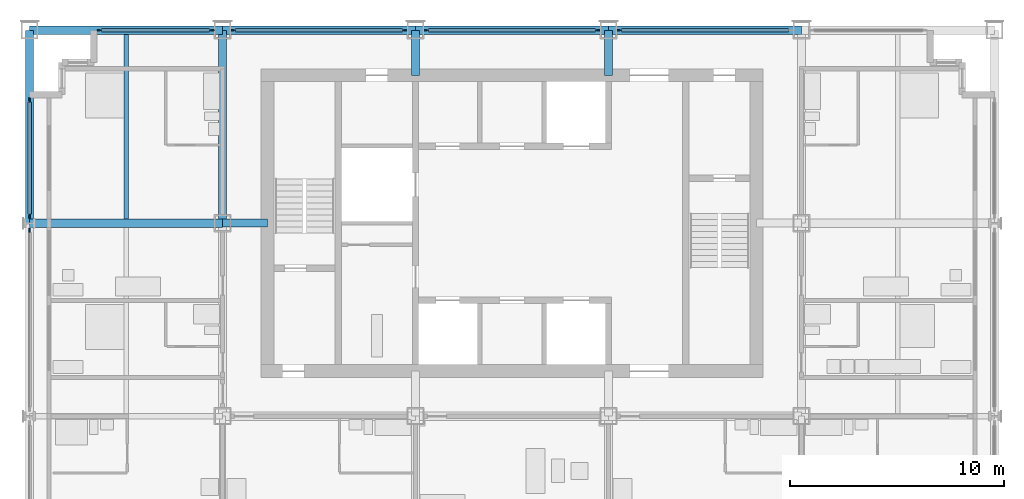
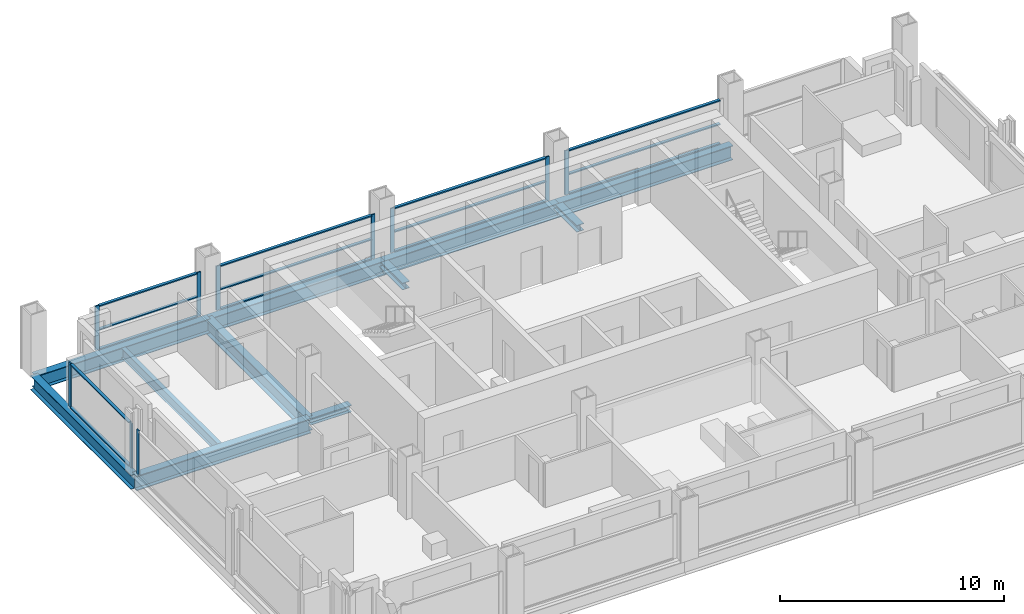
# One storey, part 4 of 13: 27 members, 8 beams, 6 elements without a shape of their own.
"""IFC4 building model written with IfcOpenShell, lengths in metres."""

import ifcopenshell
import ifcopenshell.guid

model = None  # the IFC model being written
_history = None  # IfcOwnerHistory: only IFC2X3 demands one
_inside = {}  # id of a spatial element -> (the spatial element, [elements in it])
_under = {}  # id of a project, library or spatial element -> (it, [spatial elements below it])
_declared = {}  # id of a project -> (the project, [libraries it declares])
_typed = {}  # id of a type object -> (the type object, [elements of that type])
_made_of = {}  # id of a material, layer set ... -> (it, [elements and type objects made of it])


def new_model(schema):
    """Start an empty IFC model of exactly this schema.

    Asked for "IFC4X3", IfcOpenShell would pick the latest addendum, in which some entities
    have other attributes; the version numbers below select the first issue.
    IFC2X3 requires an IfcOwnerHistory on every rooted entity: one is made here for all.
    """
    global model, _history
    if schema == "IFC4X3":
        model = ifcopenshell.file(schema_version=(4, 3, 0, 0))
    else:
        model = ifcopenshell.file(schema=schema)
    _inside.clear()
    _under.clear()
    _declared.clear()
    _typed.clear()
    _made_of.clear()
    _history = None
    if model.schema == "IFC2X3":
        org = make("IfcOrganization", Name="unknown")
        user = make(
            "IfcPersonAndOrganization",
            ThePerson=make("IfcPerson", FamilyName="unknown"),
            TheOrganization=org,
        )
        app = make(
            "IfcApplication",
            ApplicationDeveloper=org,
            Version="unknown",
            ApplicationFullName="unknown",
            ApplicationIdentifier="unknown",
        )
        _history = make(
            "IfcOwnerHistory",
            OwningUser=user,
            OwningApplication=app,
            ChangeAction="ADDED",
            CreationDate=0,
        )
    return model


def make(cls, **values):
    """One entity of the class cls with the attributes given. An attribute that is None is left unset."""
    return model.create_entity(
        cls, **{name: value for name, value in values.items() if value is not None}
    )


def rooted(cls, **values):
    """An entity with a GlobalId (a new one), such as an element, a storey or a relation."""
    return make(cls, GlobalId=ifcopenshell.guid.new(), OwnerHistory=_history, **values)


def si_unit(unit_type, name, prefix=None):
    """IfcSIUnit, for example si_unit("LENGTHUNIT", "METRE", prefix="MILLI")."""
    return make("IfcSIUnit", UnitType=unit_type, Prefix=prefix, Name=name)


def assignment(units):
    """IfcUnitAssignment: the units of a project."""
    return None if units is None else make("IfcUnitAssignment", Units=units)


def point(xyz):
    """IfcCartesianPoint."""
    return None if xyz is None else make("IfcCartesianPoint", Coordinates=xyz)


def direction(xyz):
    """IfcDirection."""
    return None if xyz is None else make("IfcDirection", DirectionRatios=xyz)


def frame(location, z_axis=None, x_axis=None):
    """IfcAxis2Placement3D, a coordinate frame: its origin and axes. An axis left out is left unset."""
    return make(
        "IfcAxis2Placement3D",
        Location=point(location),
        Axis=direction(z_axis),
        RefDirection=direction(x_axis),
    )


def frame_2d(location, x_axis=None):
    """IfcAxis2Placement2D, a coordinate frame in the plane: its origin and x axis."""
    return make(
        "IfcAxis2Placement2D", Location=point(location), RefDirection=direction(x_axis)
    )


def origin():
    """The frame at (0, 0, 0) with its axes left unset."""
    return frame((0.0, 0.0, 0.0))


def origin_2d():
    """The frame at (0, 0) in the plane with its x axis left unset."""
    return frame_2d((0.0, 0.0))


def place(relative_to, where):
    """IfcLocalPlacement: puts the frame where relative to a parent placement (None: the world)."""
    return make(
        "IfcLocalPlacement", PlacementRelTo=relative_to, RelativePlacement=where
    )


def context(
    kind, dimensions, precision=None, world=None, true_north=None, identifier=None
):
    """IfcGeometricRepresentationContext, for example the 3D "Model" context."""
    return make(
        "IfcGeometricRepresentationContext",
        ContextIdentifier=identifier,
        ContextType=kind,
        CoordinateSpaceDimension=dimensions,
        Precision=precision,
        WorldCoordinateSystem=world,
        TrueNorth=true_north,
    )


def subcontext(parent, identifier, kind, view, scale=None):
    """IfcGeometricRepresentationSubContext, for example "Body" below "Model"."""
    return make(
        "IfcGeometricRepresentationSubContext",
        ContextIdentifier=identifier,
        ContextType=kind,
        ParentContext=parent,
        TargetScale=scale,
        TargetView=view,
    )


def project(units=None, contexts=None):
    """IfcProject with its units and contexts."""
    return rooted(
        "IfcProject",
        Name="project",
        RepresentationContexts=contexts,
        UnitsInContext=assignment(units),
    )


def spatial(cls, under=None, at=None, **own):
    """A site, building, storey or space (cls), placed at a placement, below another one or the project."""
    s = rooted(cls, ObjectPlacement=at, **own)
    if under is not None:
        _under.setdefault(under.id(), (under, []))[1].append(s)
    return s


def profile(cls, at=None, kind="AREA", **sizes):
    """A parametric profile (cls). Its sizes go by their IFC names, for example OverallWidth=200.0."""
    return make(cls, ProfileType=kind, Position=at, **sizes)


def rectangle(**sizes):
    """IfcRectangleProfileDef."""
    return profile("IfcRectangleProfileDef", **sizes)


def i_section(**sizes):
    """IfcIShapeProfileDef."""
    return profile("IfcIShapeProfileDef", **sizes)


def extrude(swept, where, along, depth):
    """IfcExtrudedAreaSolid: the profile swept, set in the frame where, extruded along a direction by depth."""
    return make(
        "IfcExtrudedAreaSolid",
        SweptArea=swept,
        Position=where,
        ExtrudedDirection=direction(along),
        Depth=depth,
    )


def shape(context_of_items, identifier, shape_type, items):
    """IfcShapeRepresentation: the items that make up one representation, for example the "Body"."""
    return make(
        "IfcShapeRepresentation",
        ContextOfItems=context_of_items,
        RepresentationIdentifier=identifier,
        RepresentationType=shape_type,
        Items=items,
    )


def material(Name=None, Category=None):
    """IfcMaterial."""
    return make("IfcMaterial", Name=Name, Category=Category)


def material_profile(
    of_material, cross_section, Name=None, Category=None, Priority=None
):
    """IfcMaterialProfile: a cross section and its material."""
    return make(
        "IfcMaterialProfile",
        Name=Name,
        Material=of_material,
        Profile=cross_section,
        Priority=Priority,
        Category=Category,
    )


def profile_set(profiles, Name=None, composite=None):
    """IfcMaterialProfileSet."""
    return make(
        "IfcMaterialProfileSet",
        Name=Name,
        MaterialProfiles=profiles,
        CompositeProfile=composite,
    )


def made_of(thing, what):
    """Note that an element or type object is made of a material, layer set ...; save() writes the relation."""
    if what is not None:
        _made_of.setdefault(what.id(), (what, []))[1].append(thing)
    return thing


def type_object(cls, material=None, **own):
    """A type object (cls), such as IfcWallType, which elements share."""
    return made_of(rooted(cls, **own), material)


def element(
    cls,
    number,
    at=None,
    inside=None,
    cuts=None,
    type_object=None,
    material=None,
    context=None,
    identifier="Body",
    shape_type=None,
    held_by="IfcProductDefinitionShape",
    body=None,
    shapes=None,
    **own,
):
    """One element of the class cls, such as IfcWall. Its Tag is "e" and its number.

    at: its placement. inside: the storey or other place that contains it. cuts: it is an
    opening in that element (IfcRelVoidsElement). A single representation is given by context,
    identifier, shape_type and body (its items); several are given by shapes. held_by: the class
    of the entity that holds the representations. save() writes the other relations.
    """
    e = rooted(cls, Tag="e%d" % number, ObjectPlacement=at, **own)
    if body is not None:
        shapes = [shape(context, identifier, shape_type, body)]
    if shapes is not None:
        e.Representation = make(held_by, Representations=shapes)
    if inside is not None:
        _inside.setdefault(inside.id(), (inside, []))[1].append(e)
    if cuts is not None:
        rooted(
            "IfcRelVoidsElement", RelatingBuildingElement=cuts, RelatedOpeningElement=e
        )
    if type_object is not None:
        _typed.setdefault(type_object.id(), (type_object, []))[1].append(e)
    return made_of(e, material)


def aggregate(whole, parts):
    """IfcRelAggregates: a whole, such as a stair, and the parts it consists of."""
    return rooted("IfcRelAggregates", RelatingObject=whole, RelatedObjects=parts)


def save(model, path):
    """Write the relations noted so far, then the file.

    IfcRelAggregates (storeys below a building ...), IfcRelContainedInSpatialStructure (elements
    in a storey), IfcRelDefinesByType, IfcRelAssociatesMaterial and IfcRelDeclares: one each for
    every whole, place, type object, material and project.
    """
    for whole, parts in _under.values():
        aggregate(whole, parts)
    for where, things in _inside.values():
        rooted(
            "IfcRelContainedInSpatialStructure",
            RelatedElements=things,
            RelatingStructure=where,
        )
    for kind, things in _typed.values():
        rooted("IfcRelDefinesByType", RelatedObjects=things, RelatingType=kind)
    for what, things in _made_of.values():
        rooted("IfcRelAssociatesMaterial", RelatedObjects=things, RelatingMaterial=what)
    for by, libraries in _declared.values():
        rooted("IfcRelDeclares", RelatingContext=by, RelatedDefinitions=libraries)
    model.write(path)


model = new_model("IFC4")

# Units and contexts
model_context = context("Model", 3, precision=1e-05, world=origin(), true_north=direction((0.0, 1.0)))
body_context = subcontext(model_context, "Body", "Model", "MODEL_VIEW")
ifc_project = project(units=[si_unit("LENGTHUNIT", "METRE"), si_unit("AREAUNIT", "SQUARE_METRE"), si_unit("VOLUMEUNIT", "CUBIC_METRE"), si_unit("PLANEANGLEUNIT", "RADIAN"), si_unit("MASSUNIT", "GRAM", prefix="KILO")], contexts=[model_context])

# Site, building, storey
site_placement = place(None, origin())
site = spatial("IfcSite", under=ifc_project, at=site_placement, CompositionType="ELEMENT")
building_placement = place(site_placement, origin())
building = spatial("IfcBuilding", under=site, at=building_placement, Name="Loomwork Tower", CompositionType="ELEMENT")
storey_placement = place(building_placement, frame((0.0, 0.0, 174.0)))
storey = spatial("IfcBuildingStorey", under=building, at=storey_placement, Name="L47", CompositionType="ELEMENT", Elevation=174.0)

# Beams
ifc_material_1 = material(Name="Steel ASTM A992", Category="steel")
ifc_material_profile_1 = material_profile(ifc_material_1, i_section(OverallWidth=0.383544921875, OverallDepth=0.794921875, WebThickness=0.02099609375, FlangeThickness=0.0380859375, at=origin_2d()), Name="W30x235")
ifc_profile_set_1 = profile_set([ifc_material_profile_1], Name="Steel ASTM A992")
beam_type_1 = type_object("IfcBeamType", Name="CORE FLANK GIRDER W30x235", PredefinedType="BEAM", material=ifc_profile_set_1)
for number, where, z_axis, x_axis, name in (
    (1, (0.0, 18.0, -0.597412109375), (1.0, 0.0, 0.0), (0.0, 1.0, 0.0), "Core Flank Girder F/2-F/3 L47"),
    (2, (9.0, 18.0, -0.597412109375), (0.0, 1.0, 0.0), (-1.0, 0.0, 0.0), "Core Flank Girder F/3-G/3 L47"),
):
    element("IfcBeam", number, at=place(storey_placement, frame(where, z_axis=z_axis, x_axis=x_axis)), inside=storey, type_object=beam_type_1, Name=name, PredefinedType="BEAM", context=body_context, shape_type="SweptSolid", body=[
        extrude(i_section(OverallWidth=0.383544921875, OverallDepth=0.794921875, WebThickness=0.02099609375, FlangeThickness=0.0380859375, at=origin_2d()), origin(), (0.0, 0.0, 1.0), 9.0),
    ])

# Members
ifc_material_2 = material(Name="Steel ASTM A992", Category="steel")
ifc_material_profile_2 = material_profile(ifc_material_2, i_section(OverallWidth=0.373291015625, OverallDepth=0.373291015625, WebThickness=0.016357421875, FlangeThickness=0.026123046875, at=origin_2d()), Name="W14x132")
ifc_profile_set_2 = profile_set([ifc_material_profile_2], Name="Steel ASTM A992")
member_type_1 = type_object("IfcMemberType", Name="CORE LINK STRUT W14x132", PredefinedType="STRUT", material=ifc_profile_set_2)
for number, where, z_axis, x_axis, name in (
    (3, (27.0, 27.0, -0.38671875), (0.0, -1.0, 0.0), (1.0, 0.0, 0.0), "Core link strut G/5-27.000,24.900 L47"),
    (4, (18.0, 27.0, -0.38671875), (0.0, -1.0, 0.0), (1.0, 0.0, 0.0), "Core link strut G/4-18.000,24.900 L47"),
    (5, (9.0, 18.0, -0.38671875), (1.0, 0.0, 0.0), (0.0, 1.0, 0.0), "Core link strut F/3-11.100,18.000 L47"),
):
    element("IfcMember", number, at=place(storey_placement, frame(where, z_axis=z_axis, x_axis=x_axis)), inside=storey, type_object=member_type_1, Name=name, PredefinedType="STRUT", context=body_context, shape_type="SweptSolid", body=[
        extrude(i_section(OverallWidth=0.373291015625, OverallDepth=0.373291015625, WebThickness=0.016357421875, FlangeThickness=0.026123046875, at=origin_2d()), origin(), (0.0, 0.0, 1.0), 2.10009765625),
    ])

# Beam
ifc_material_3 = material(Name="Steel ASTM A992", Category="steel")
ifc_material_profile_3 = material_profile(ifc_material_3, i_section(OverallWidth=0.2109375, OverallDepth=0.53857421875, WebThickness=0.011474609375, FlangeThickness=0.018798828125, at=origin_2d()), Name="W21x73")
ifc_profile_set_3 = profile_set([ifc_material_profile_3], Name="Steel ASTM A992")
beam_type_2 = type_object("IfcBeamType", Name="FLOOR JOIST W21x73", PredefinedType="JOIST", material=ifc_profile_set_3)
beam_placement = place(storey_placement, frame((4.5, 18.19091796875, -0.46923828125), z_axis=(0.0, 1.0, 0.0), x_axis=(-1.0, 0.0, 0.0)))
element("IfcBeam", 6, at=beam_placement, inside=storey, type_object=beam_type_2, Name="Floor Joist 4.500,18.000-4.500,27.000 L47", PredefinedType="JOIST", context=body_context, shape_type="SweptSolid", body=[
    extrude(i_section(OverallWidth=0.2109375, OverallDepth=0.53857421875, WebThickness=0.011474609375, FlangeThickness=0.018798828125, at=origin_2d()), origin(), (0.0, 0.0, 1.0), 8.619140625),
])

# Curtain wall, member
ifc_material_4 = material(Name="Aluminium curtain wall frame", Category="aluminium")
curtain_wall_type_1 = type_object("IfcCurtainWallType", Name="Outer skin glazing hotel", PredefinedType="NOTDEFINED", material=ifc_material_4)
curtain_wall_1_placement = place(storey_placement, origin())
curtain_wall_1 = element("IfcCurtainWall", 7, at=curtain_wall_1_placement, inside=storey, type_object=curtain_wall_type_1, Name="Outer skin glazing hotel cw/W-9", PredefinedType="NOTDEFINED")
ifc_material_5 = material(Name="Aluminium curtain wall frame", Category="aluminium")
ifc_material_profile_4 = material_profile(ifc_material_5, rectangle(XDim=0.06494140625, YDim=0.199951171875, at=origin_2d()), Name="AL 65x200")
ifc_profile_set_4 = profile_set([ifc_material_profile_4], Name="Aluminium curtain wall frame")
member_type_2 = type_object("IfcMemberType", Name="Outer skin glazing hotel mullion", PredefinedType="MULLION", material=ifc_profile_set_4)
member_1_placement = place(storey_placement, frame((0.0, 17.67529296875, 0.0), z_axis=(0.0, 0.0, 1.0), x_axis=(1.0, 0.0, 0.0)))
member_1 = element("IfcMember", 8, at=member_1_placement, type_object=member_type_2, Name="CW1 mullion 1", PredefinedType="MULLION", context=body_context, shape_type="SweptSolid", body=[
    extrude(rectangle(XDim=0.06494140625, YDim=0.199951171875, at=origin_2d()), origin(), (0.0, 0.0, 1.0), 2.420166015625),
])
aggregate(curtain_wall_1, [member_1])

# Curtain wall, members
curtain_wall_2_placement = place(storey_placement, origin())
curtain_wall_2 = element("IfcCurtainWall", 9, at=curtain_wall_2_placement, inside=storey, type_object=curtain_wall_type_1, Name="Outer skin glazing hotel cw/W-18", PredefinedType="NOTDEFINED")
member_2_placement = place(storey_placement, frame((0.0, 23.75, 0.0), z_axis=(0.0, 0.0, 1.0), x_axis=(1.0, 0.0, 0.0)))
member_2 = element("IfcMember", 10, at=member_2_placement, type_object=member_type_2, Name="CW1 mullion 1", PredefinedType="MULLION", context=body_context, shape_type="SweptSolid", body=[
    extrude(rectangle(XDim=0.06494140625, YDim=0.199951171875, at=origin_2d()), origin(), (0.0, 0.0, 1.0), 2.420166015625),
])
member_3_placement = place(storey_placement, frame((0.0, 18.32470703125, 0.0), z_axis=(0.0, 0.0, 1.0), x_axis=(1.0, 0.0, 0.0)))
member_3 = element("IfcMember", 11, at=member_3_placement, type_object=member_type_2, Name="CW1 mullion 2", PredefinedType="MULLION", context=body_context, shape_type="SweptSolid", body=[
    extrude(rectangle(XDim=0.06494140625, YDim=0.199951171875, at=origin_2d()), origin(), (0.0, 0.0, 1.0), 2.420166015625),
])
ifc_material_6 = material(Name="Aluminium curtain wall frame", Category="aluminium")
ifc_material_profile_5 = material_profile(ifc_material_6, rectangle(XDim=0.14990234375, YDim=0.06494140625, at=origin_2d()), Name="AL 65x150")
ifc_profile_set_5 = profile_set([ifc_material_profile_5], Name="Aluminium curtain wall frame")
member_type_3 = type_object("IfcMemberType", Name="Outer skin glazing hotel transom", PredefinedType="USERDEFINED", material=ifc_profile_set_5)
member_4_placement = place(storey_placement, frame((0.0, 23.64990234375, 0.032470703125), z_axis=(0.0, -1.0, 0.0), x_axis=(1.0, 0.0, 0.0)))
member_4 = element("IfcMember", 12, at=member_4_placement, type_object=member_type_3, Name="CW1 transom 1.1", ObjectType="TRANSOM", PredefinedType="USERDEFINED", context=body_context, shape_type="SweptSolid", body=[
    extrude(rectangle(XDim=0.14990234375, YDim=0.06494140625, at=origin_2d()), origin(), (0.0, 0.0, 1.0), 5.22509765625),
])
member_5_placement = place(storey_placement, frame((0.0, 23.64990234375, 2.3876953125), z_axis=(0.0, -1.0, 0.0), x_axis=(1.0, 0.0, 0.0)))
member_5 = element("IfcMember", 13, at=member_5_placement, type_object=member_type_3, Name="CW1 transom 1.2", ObjectType="TRANSOM", PredefinedType="USERDEFINED", context=body_context, shape_type="SweptSolid", body=[
    extrude(rectangle(XDim=0.14990234375, YDim=0.06494140625, at=origin_2d()), origin(), (0.0, 0.0, 1.0), 5.22509765625),
])
aggregate(curtain_wall_2, [member_2, member_3, member_4, member_5])

# Beams
ifc_material_7 = material(Name="Steel ASTM A992", Category="steel")
ifc_material_profile_6 = material_profile(ifc_material_7, i_section(OverallWidth=0.381103515625, OverallDepth=0.77978515625, WebThickness=0.01806640625, FlangeThickness=0.0302734375, at=origin_2d()), Name="W30x191")
ifc_profile_set_6 = profile_set([ifc_material_profile_6], Name="Steel ASTM A992")
beam_type_3 = type_object("IfcBeamType", Name="SPANDREL GIRDER W30x191", PredefinedType="SPANDREL", material=ifc_profile_set_6)
for number, where, z_axis, x_axis, name in (
    (14, (0.0, 27.0, -0.58984375), (1.0, 0.0, 0.0), (0.0, 1.0, 0.0), "Spandrel Girder G/2-G/3 L47"),
    (15, (9.0, 27.0, -0.58984375), (1.0, 0.0, 0.0), (0.0, 1.0, 0.0), "Spandrel Girder G/3-G/4 L47"),
    (16, (18.0, 27.0, -0.58984375), (1.0, 0.0, 0.0), (0.0, 1.0, 0.0), "Spandrel Girder G/4-G/5 L47"),
    (17, (27.0, 27.0, -0.58984375), (1.0, 0.0, 0.0), (0.0, 1.0, 0.0), "Spandrel Girder G/5-G/6 L47"),
    (18, (0.0, 18.0, -0.58984375), (0.0, 1.0, 0.0), (-1.0, 0.0, 0.0), "Spandrel Girder F/2-G/2 L47"),
):
    element("IfcBeam", number, at=place(storey_placement, frame(where, z_axis=z_axis, x_axis=x_axis)), inside=storey, type_object=beam_type_3, Name=name, PredefinedType="SPANDREL", context=body_context, shape_type="SweptSolid", body=[
        extrude(i_section(OverallWidth=0.381103515625, OverallDepth=0.77978515625, WebThickness=0.01806640625, FlangeThickness=0.0302734375, at=origin_2d()), origin(), (0.0, 0.0, 1.0), 9.0),
    ])

# Curtain wall, members
ifc_material_8 = material(Name="Aluminium curtain wall frame", Category="aluminium")
curtain_wall_type_2 = type_object("IfcCurtainWallType", Name="Single skin glazing corridor", PredefinedType="NOTDEFINED", material=ifc_material_8)
curtain_wall_3_placement = place(storey_placement, origin())
curtain_wall_3 = element("IfcCurtainWall", 19, at=curtain_wall_3_placement, inside=storey, type_object=curtain_wall_type_2, Name="Single skin glazing corridor cw/N-0", PredefinedType="NOTDEFINED")
ifc_material_9 = material(Name="Aluminium curtain wall frame", Category="aluminium")
ifc_material_profile_7 = material_profile(ifc_material_9, rectangle(XDim=0.06494140625, YDim=0.199951171875, at=origin_2d()), Name="AL 65x200")
ifc_profile_set_7 = profile_set([ifc_material_profile_7], Name="Aluminium curtain wall frame")
member_type_4 = type_object("IfcMemberType", Name="Single skin glazing corridor mullion", PredefinedType="MULLION", material=ifc_profile_set_7)
member_6_placement = place(storey_placement, frame((8.5, 27.0, 0.0), z_axis=(0.0, 0.0, 1.0), x_axis=(0.0, -1.0, 0.0)))
member_6 = element("IfcMember", 20, at=member_6_placement, type_object=member_type_4, Name="CW3 mullion 1", PredefinedType="MULLION", context=body_context, shape_type="SweptSolid", body=[
    extrude(rectangle(XDim=0.06494140625, YDim=0.199951171875, at=origin_2d()), origin(), (0.0, 0.0, 1.0), 2.420166015625),
])
member_7_placement = place(storey_placement, frame((3.25, 27.0, 0.0), z_axis=(0.0, 0.0, 1.0), x_axis=(0.0, -1.0, 0.0)))
member_7 = element("IfcMember", 21, at=member_7_placement, type_object=member_type_4, Name="CW3 mullion 2", PredefinedType="MULLION", context=body_context, shape_type="SweptSolid", body=[
    extrude(rectangle(XDim=0.06494140625, YDim=0.199951171875, at=origin_2d()), origin(), (0.0, 0.0, 1.0), 2.420166015625),
])

curtain_wall_4_placement = place(storey_placement, origin())
curtain_wall_4 = element("IfcCurtainWall", 22, at=curtain_wall_4_placement, inside=storey, type_object=curtain_wall_type_2, Name="Single skin glazing corridor cw/N-9", PredefinedType="NOTDEFINED")
member_8_placement = place(storey_placement, frame((17.5, 27.0, 0.0), z_axis=(0.0, 0.0, 1.0), x_axis=(0.0, -1.0, 0.0)))
member_8 = element("IfcMember", 23, at=member_8_placement, type_object=member_type_4, Name="CW3 mullion 1", PredefinedType="MULLION", context=body_context, shape_type="SweptSolid", body=[
    extrude(rectangle(XDim=0.06494140625, YDim=0.199951171875, at=origin_2d()), origin(), (0.0, 0.0, 1.0), 2.420166015625),
])
member_9_placement = place(storey_placement, frame((9.5, 27.0, 0.0), z_axis=(0.0, 0.0, 1.0), x_axis=(0.0, -1.0, 0.0)))
member_9 = element("IfcMember", 24, at=member_9_placement, type_object=member_type_4, Name="CW3 mullion 2", PredefinedType="MULLION", context=body_context, shape_type="SweptSolid", body=[
    extrude(rectangle(XDim=0.06494140625, YDim=0.199951171875, at=origin_2d()), origin(), (0.0, 0.0, 1.0), 2.420166015625),
])

curtain_wall_5_placement = place(storey_placement, origin())
curtain_wall_5 = element("IfcCurtainWall", 25, at=curtain_wall_5_placement, inside=storey, type_object=curtain_wall_type_2, Name="Single skin glazing corridor cw/N-18", PredefinedType="NOTDEFINED")
member_10_placement = place(storey_placement, frame((26.5, 27.0, 0.0), z_axis=(0.0, 0.0, 1.0), x_axis=(0.0, -1.0, 0.0)))
member_10 = element("IfcMember", 26, at=member_10_placement, type_object=member_type_4, Name="CW3 mullion 1", PredefinedType="MULLION", context=body_context, shape_type="SweptSolid", body=[
    extrude(rectangle(XDim=0.06494140625, YDim=0.199951171875, at=origin_2d()), origin(), (0.0, 0.0, 1.0), 2.420166015625),
])
member_11_placement = place(storey_placement, frame((18.5, 27.0, 0.0), z_axis=(0.0, 0.0, 1.0), x_axis=(0.0, -1.0, 0.0)))
member_11 = element("IfcMember", 27, at=member_11_placement, type_object=member_type_4, Name="CW3 mullion 2", PredefinedType="MULLION", context=body_context, shape_type="SweptSolid", body=[
    extrude(rectangle(XDim=0.06494140625, YDim=0.199951171875, at=origin_2d()), origin(), (0.0, 0.0, 1.0), 2.420166015625),
])

# Curtain wall, member
curtain_wall_6_placement = place(storey_placement, origin())
curtain_wall_6 = element("IfcCurtainWall", 28, at=curtain_wall_6_placement, inside=storey, type_object=curtain_wall_type_2, Name="Single skin glazing corridor cw/N-27", PredefinedType="NOTDEFINED")
member_12_placement = place(storey_placement, frame((27.5, 27.0, 0.0), z_axis=(0.0, 0.0, 1.0), x_axis=(0.0, -1.0, 0.0)))
member_12 = element("IfcMember", 29, at=member_12_placement, type_object=member_type_4, Name="CW3 mullion 2", PredefinedType="MULLION", context=body_context, shape_type="SweptSolid", body=[
    extrude(rectangle(XDim=0.06494140625, YDim=0.199951171875, at=origin_2d()), origin(), (0.0, 0.0, 1.0), 2.420166015625),
])

# Member
ifc_material_10 = material(Name="Aluminium curtain wall frame", Category="aluminium")
ifc_material_profile_8 = material_profile(ifc_material_10, rectangle(XDim=0.14990234375, YDim=0.06494140625, at=origin_2d()), Name="AL 65x150")
ifc_profile_set_8 = profile_set([ifc_material_profile_8], Name="Aluminium curtain wall frame")
member_type_5 = type_object("IfcMemberType", Name="Single skin glazing corridor transom", PredefinedType="USERDEFINED", material=ifc_profile_set_8)
member_13_placement = place(storey_placement, frame((8.39990234375, 27.0, 0.032470703125), z_axis=(-1.0, 0.0, 0.0), x_axis=(0.0, -1.0, 0.0)))
member_13 = element("IfcMember", 30, at=member_13_placement, type_object=member_type_5, Name="CW3 transom 1.1", ObjectType="TRANSOM", PredefinedType="USERDEFINED", context=body_context, shape_type="SweptSolid", body=[
    extrude(rectangle(XDim=0.14990234375, YDim=0.06494140625, at=origin_2d()), origin(), (0.0, 0.0, 1.0), 5.0498046875),
])

member_14_placement = place(storey_placement, frame((8.39990234375, 27.0, 1.10009765625), z_axis=(-1.0, 0.0, 0.0), x_axis=(0.0, -1.0, 0.0)))
member_14 = element("IfcMember", 31, at=member_14_placement, type_object=member_type_5, Name="CW3 transom 1.2", ObjectType="TRANSOM", PredefinedType="USERDEFINED", context=body_context, shape_type="SweptSolid", body=[
    extrude(rectangle(XDim=0.14990234375, YDim=0.06494140625, at=origin_2d()), origin(), (0.0, 0.0, 1.0), 5.0498046875),
])

member_15_placement = place(storey_placement, frame((8.39990234375, 27.0, 2.3876953125), z_axis=(-1.0, 0.0, 0.0), x_axis=(0.0, -1.0, 0.0)))
member_15 = element("IfcMember", 32, at=member_15_placement, type_object=member_type_5, Name="CW3 transom 1.3", ObjectType="TRANSOM", PredefinedType="USERDEFINED", context=body_context, shape_type="SweptSolid", body=[
    extrude(rectangle(XDim=0.14990234375, YDim=0.06494140625, at=origin_2d()), origin(), (0.0, 0.0, 1.0), 5.0498046875),
])

aggregate(curtain_wall_3, [member_6, member_7, member_13, member_14, member_15])

member_16_placement = place(storey_placement, frame((17.39990234375, 27.0, 0.032470703125), z_axis=(-1.0, 0.0, 0.0), x_axis=(0.0, -1.0, 0.0)))
member_16 = element("IfcMember", 33, at=member_16_placement, type_object=member_type_5, Name="CW3 transom 1.1", ObjectType="TRANSOM", PredefinedType="USERDEFINED", context=body_context, shape_type="SweptSolid", body=[
    extrude(rectangle(XDim=0.14990234375, YDim=0.06494140625, at=origin_2d()), origin(), (0.0, 0.0, 1.0), 7.7998046875),
])

member_17_placement = place(storey_placement, frame((17.39990234375, 27.0, 1.10009765625), z_axis=(-1.0, 0.0, 0.0), x_axis=(0.0, -1.0, 0.0)))
member_17 = element("IfcMember", 34, at=member_17_placement, type_object=member_type_5, Name="CW3 transom 1.2", ObjectType="TRANSOM", PredefinedType="USERDEFINED", context=body_context, shape_type="SweptSolid", body=[
    extrude(rectangle(XDim=0.14990234375, YDim=0.06494140625, at=origin_2d()), origin(), (0.0, 0.0, 1.0), 7.7998046875),
])

member_18_placement = place(storey_placement, frame((17.39990234375, 27.0, 2.3876953125), z_axis=(-1.0, 0.0, 0.0), x_axis=(0.0, -1.0, 0.0)))
member_18 = element("IfcMember", 35, at=member_18_placement, type_object=member_type_5, Name="CW3 transom 1.3", ObjectType="TRANSOM", PredefinedType="USERDEFINED", context=body_context, shape_type="SweptSolid", body=[
    extrude(rectangle(XDim=0.14990234375, YDim=0.06494140625, at=origin_2d()), origin(), (0.0, 0.0, 1.0), 7.7998046875),
])

aggregate(curtain_wall_4, [member_8, member_9, member_16, member_17, member_18])

member_19_placement = place(storey_placement, frame((26.39990234375, 27.0, 0.032470703125), z_axis=(-1.0, 0.0, 0.0), x_axis=(0.0, -1.0, 0.0)))
member_19 = element("IfcMember", 36, at=member_19_placement, type_object=member_type_5, Name="CW3 transom 1.1", ObjectType="TRANSOM", PredefinedType="USERDEFINED", context=body_context, shape_type="SweptSolid", body=[
    extrude(rectangle(XDim=0.14990234375, YDim=0.06494140625, at=origin_2d()), origin(), (0.0, 0.0, 1.0), 7.7998046875),
])

member_20_placement = place(storey_placement, frame((26.39990234375, 27.0, 1.10009765625), z_axis=(-1.0, 0.0, 0.0), x_axis=(0.0, -1.0, 0.0)))
member_20 = element("IfcMember", 37, at=member_20_placement, type_object=member_type_5, Name="CW3 transom 1.2", ObjectType="TRANSOM", PredefinedType="USERDEFINED", context=body_context, shape_type="SweptSolid", body=[
    extrude(rectangle(XDim=0.14990234375, YDim=0.06494140625, at=origin_2d()), origin(), (0.0, 0.0, 1.0), 7.7998046875),
])

member_21_placement = place(storey_placement, frame((26.39990234375, 27.0, 2.3876953125), z_axis=(-1.0, 0.0, 0.0), x_axis=(0.0, -1.0, 0.0)))
member_21 = element("IfcMember", 38, at=member_21_placement, type_object=member_type_5, Name="CW3 transom 1.3", ObjectType="TRANSOM", PredefinedType="USERDEFINED", context=body_context, shape_type="SweptSolid", body=[
    extrude(rectangle(XDim=0.14990234375, YDim=0.06494140625, at=origin_2d()), origin(), (0.0, 0.0, 1.0), 7.7998046875),
])

aggregate(curtain_wall_5, [member_10, member_11, member_19, member_20, member_21])

member_22_placement = place(storey_placement, frame((35.39990234375, 27.0, 0.032470703125), z_axis=(-1.0, 0.0, 0.0), x_axis=(0.0, -1.0, 0.0)))
member_22 = element("IfcMember", 39, at=member_22_placement, type_object=member_type_5, Name="CW3 transom 1.1", ObjectType="TRANSOM", PredefinedType="USERDEFINED", context=body_context, shape_type="SweptSolid", body=[
    extrude(rectangle(XDim=0.14990234375, YDim=0.06494140625, at=origin_2d()), origin(), (0.0, 0.0, 1.0), 7.7998046875),
])

member_23_placement = place(storey_placement, frame((35.39990234375, 27.0, 1.10009765625), z_axis=(-1.0, 0.0, 0.0), x_axis=(0.0, -1.0, 0.0)))
member_23 = element("IfcMember", 40, at=member_23_placement, type_object=member_type_5, Name="CW3 transom 1.2", ObjectType="TRANSOM", PredefinedType="USERDEFINED", context=body_context, shape_type="SweptSolid", body=[
    extrude(rectangle(XDim=0.14990234375, YDim=0.06494140625, at=origin_2d()), origin(), (0.0, 0.0, 1.0), 7.7998046875),
])

member_24_placement = place(storey_placement, frame((35.39990234375, 27.0, 2.3876953125), z_axis=(-1.0, 0.0, 0.0), x_axis=(0.0, -1.0, 0.0)))
member_24 = element("IfcMember", 41, at=member_24_placement, type_object=member_type_5, Name="CW3 transom 1.3", ObjectType="TRANSOM", PredefinedType="USERDEFINED", context=body_context, shape_type="SweptSolid", body=[
    extrude(rectangle(XDim=0.14990234375, YDim=0.06494140625, at=origin_2d()), origin(), (0.0, 0.0, 1.0), 7.7998046875),
])

aggregate(curtain_wall_6, [member_12, member_22, member_23, member_24])

save(model, "model.ifc")
